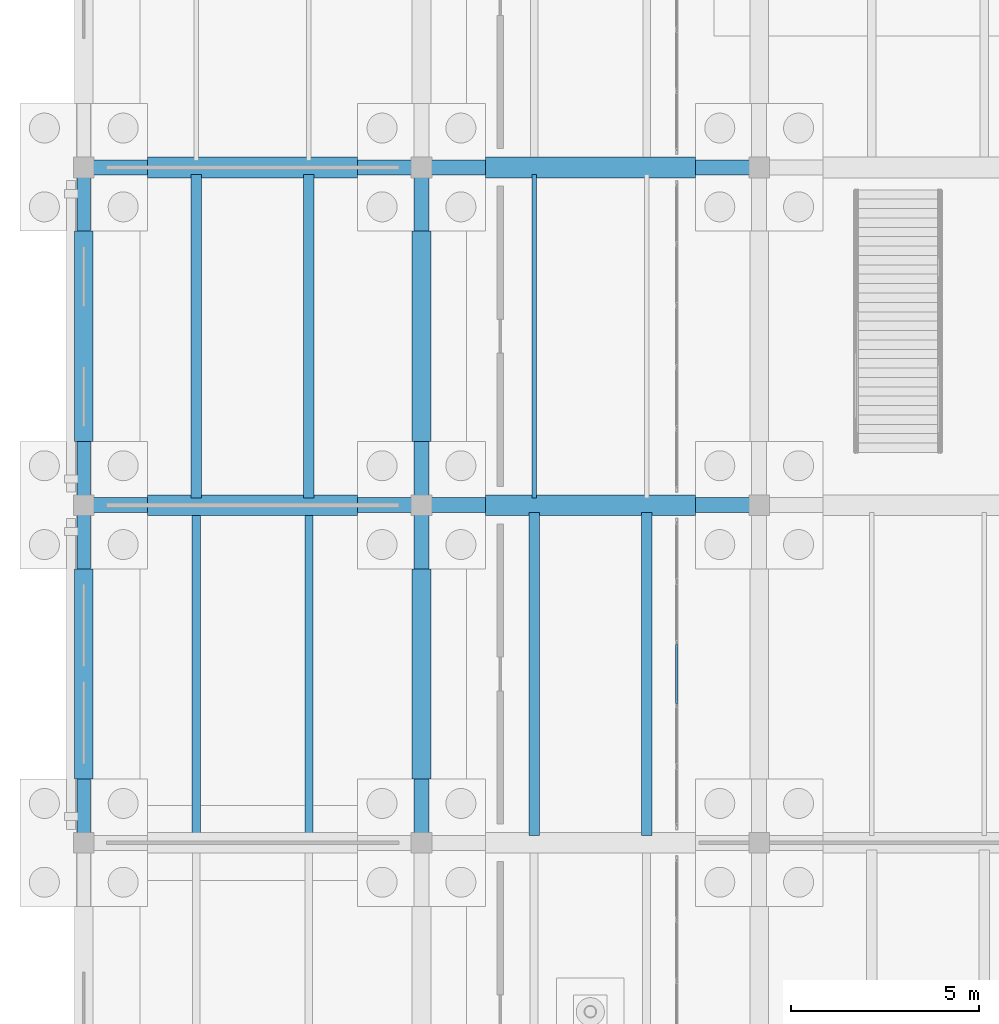
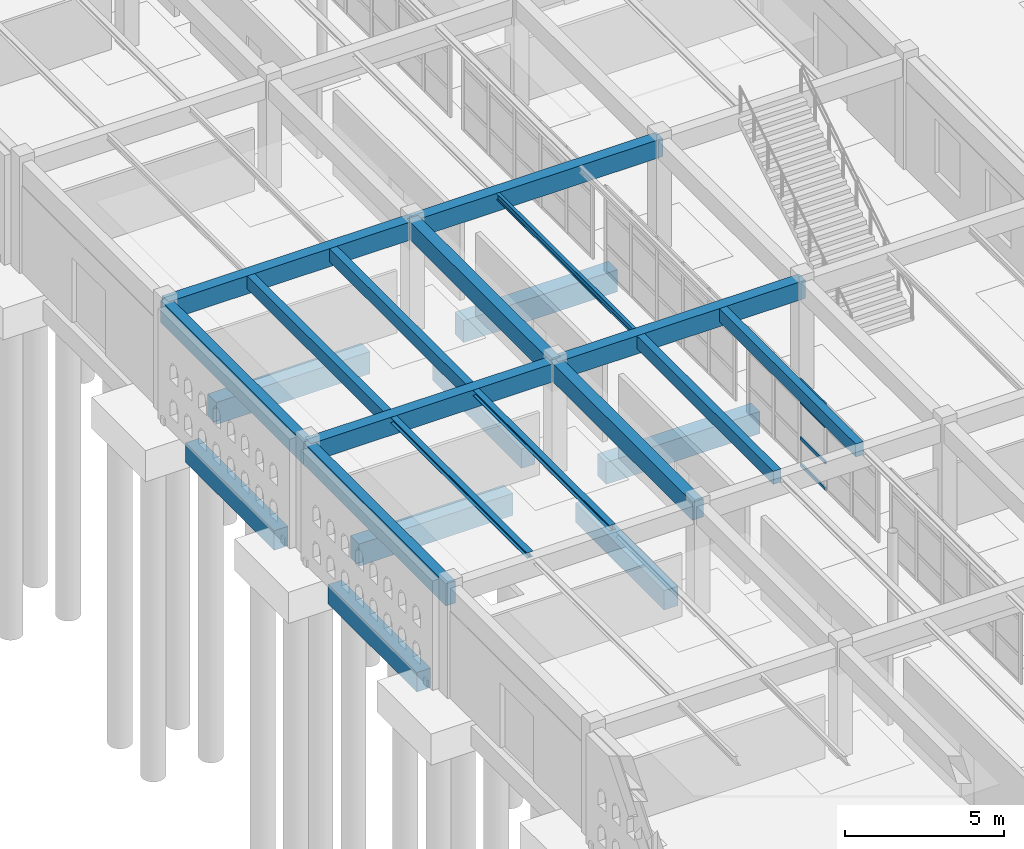
# One storey, part 40 of 186: 23 beams, 4 members, 1 element without a shape of its own.
"""IFC4 building model written with IfcOpenShell, lengths in metres."""

from ifc_helpers import new_model, si_unit, direction, frame, origin, origin_2d, place, context, subcontext, project, spatial, rectangle, hollow_rectangle, i_section, extrude, material, layer, layer_set, material_profile, profile_set, type_object, element, aggregate, save


model = new_model("IFC4")

# Units and contexts
model_context = context("Model", 3, precision=1e-05, world=origin(), true_north=direction((0.0, 1.0)))
body_context = subcontext(model_context, "Body", "Model", "MODEL_VIEW")
ifc_project = project(units=[si_unit("LENGTHUNIT", "METRE"), si_unit("AREAUNIT", "SQUARE_METRE"), si_unit("VOLUMEUNIT", "CUBIC_METRE"), si_unit("PLANEANGLEUNIT", "RADIAN"), si_unit("MASSUNIT", "GRAM", prefix="KILO")], contexts=[model_context])

# Site, building, storey
site_placement = place(None, origin())
site = spatial("IfcSite", under=ifc_project, at=site_placement, CompositionType="ELEMENT")
building_placement = place(site_placement, origin())
building = spatial("IfcBuilding", under=site, at=building_placement, Name="Ornek Quay Market", CompositionType="ELEMENT")
storey_placement = place(building_placement, origin())
storey = spatial("IfcBuildingStorey", under=building, at=storey_placement, Name="L00", CompositionType="ELEMENT", Elevation=0.0)

# Beams
ifc_material_1 = material(Name="Concrete C35/45", Category="concrete")
ifc_material_profile_1 = material_profile(ifc_material_1, rectangle(XDim=0.5, YDim=0.75, at=origin_2d()), Name="RC 500x750", Category="concrete")
ifc_profile_set_1 = profile_set([ifc_material_profile_1], Name="Concrete C35/45")
beam_type_1 = type_object("IfcBeamType", Name="BM-GB-500x750", PredefinedType="BEAM", material=ifc_profile_set_1)
for number, where, z_axis, x_axis, name in (
    (1, (0.0, 48.699951171875, -0.574951171875), (0.0, 1.0, 0.0), (-1.0, 0.0, 0.0), "Ground tie beam GB-055"),
    (2, (0.0, 57.699951171875, -0.574951171875), (0.0, 1.0, 0.0), (-1.0, 0.0, 0.0), "Ground tie beam GB-056"),
    (3, (9.0, 48.699951171875, -0.574951171875), (0.0, 1.0, 0.0), (-1.0, 0.0, 0.0), "Ground tie beam GB-061"),
    (4, (9.0, 57.699951171875, -0.574951171875), (0.0, 1.0, 0.0), (-1.0, 0.0, 0.0), "Ground tie beam GB-062"),
):
    element("IfcBeam", number, at=place(storey_placement, frame(where, z_axis=z_axis, x_axis=x_axis)), inside=storey, type_object=beam_type_1, Name=name, PredefinedType="BEAM", context=body_context, shape_type="SweptSolid", body=[
        extrude(rectangle(XDim=0.5, YDim=0.75, at=origin_2d()), origin(), (0.0, 0.0, 1.0), 5.60009765625),
    ])
ifc_material_profile_2 = material_profile(ifc_material_1, rectangle(XDim=0.550048828125, YDim=0.85009765625, at=origin_2d()), Name="RC 550x850", Category="concrete")
ifc_profile_set_2 = profile_set([ifc_material_profile_2], Name="Concrete C35/45")
beam_type_2 = type_object("IfcBeamType", Name="BM-GB-550x850", PredefinedType="BEAM", material=ifc_profile_set_2)
for number, where, z_axis, x_axis, name in (
    (5, (1.699951171875, 56.0, -0.625), (1.0, 0.0, 0.0), (0.0, 1.0, 0.0), "Ground tie beam GB-018"),
    (6, (10.699951171875, 56.0, -0.625), (1.0, 0.0, 0.0), (0.0, 1.0, 0.0), "Ground tie beam GB-019"),
    (7, (1.699951171875, 65.0, -0.625), (1.0, 0.0, 0.0), (0.0, 1.0, 0.0), "Ground tie beam GB-022"),
    (8, (10.699951171875, 65.0, -0.625), (1.0, 0.0, 0.0), (0.0, 1.0, 0.0), "Ground tie beam GB-023"),
):
    element("IfcBeam", number, at=place(storey_placement, frame(where, z_axis=z_axis, x_axis=x_axis)), inside=storey, type_object=beam_type_2, Name=name, PredefinedType="BEAM", context=body_context, shape_type="SweptSolid", body=[
        extrude(rectangle(XDim=0.550048828125, YDim=0.85009765625, at=origin_2d()), origin(), (0.0, 0.0, 1.0), 5.60009765625),
    ])
ifc_material_profile_3 = material_profile(ifc_material_1, rectangle(XDim=0.280029296875, YDim=0.5, at=origin_2d()), Name="RC 280x500", Category="concrete")
ifc_profile_set_3 = profile_set([ifc_material_profile_3], Name="Concrete C35/45")
beam_type_3 = type_object("IfcBeamType", Name="BM-SEC-280x500", PredefinedType="JOIST", material=ifc_profile_set_3)
for number, where, z_axis, x_axis, name in (
    (9, (3.0, 56.19189453125, 3.969970703125), (0.0, 1.0, 0.0), (-1.0, 0.0, 0.0), "Secondary joist B-SC2-021"),
    (10, (6.0, 56.19189453125, 3.969970703125), (0.0, 1.0, 0.0), (-1.0, 0.0, 0.0), "Secondary joist B-SC2-022"),
    (11, (12.0, 47.19189453125, 3.969970703125), (0.0, 1.0, 0.0), (-1.0, 0.0, 0.0), "Secondary joist B-SC2-023"),
    (12, (15.0, 47.19189453125, 3.969970703125), (0.0, 1.0, 0.0), (-1.0, 0.0, 0.0), "Secondary joist B-SC2-024"),
):
    element("IfcBeam", number, at=place(storey_placement, frame(where, z_axis=z_axis, x_axis=x_axis)), inside=storey, type_object=beam_type_3, Name=name, PredefinedType="JOIST", context=body_context, shape_type="SweptSolid", body=[
        extrude(rectangle(XDim=0.280029296875, YDim=0.5, at=origin_2d()), origin(), (0.0, 0.0, 1.0), 8.6162109375),
    ])
ifc_material_2 = material(Name="Concrete C40/50", Category="concrete")
ifc_material_profile_4 = material_profile(ifc_material_2, rectangle(XDim=0.35009765625, YDim=0.85009765625, at=origin_2d()), Name="RC 350x850", Category="concrete")
ifc_profile_set_4 = profile_set([ifc_material_profile_4], Name="Concrete C40/50")
beam_type_4 = type_object("IfcBeamType", Name="BM-SPN-350x850", PredefinedType="SPANDREL", material=ifc_profile_set_4)
for number, where, z_axis, x_axis, name in (
    (13, (0.0, 47.0, 3.794921875), (0.0, 1.0, 0.0), (-1.0, 0.0, 0.0), "Primary beam B-SP1-053"),
    (14, (0.0, 56.0, 3.794921875), (0.0, 1.0, 0.0), (-1.0, 0.0, 0.0), "Primary beam B-SP1-054"),
):
    element("IfcBeam", number, at=place(storey_placement, frame(where, z_axis=z_axis, x_axis=x_axis)), inside=storey, type_object=beam_type_4, Name=name, PredefinedType="SPANDREL", context=body_context, shape_type="SweptSolid", body=[
        extrude(rectangle(XDim=0.35009765625, YDim=0.85009765625, at=origin_2d()), origin(), (0.0, 0.0, 1.0), 9.0),
    ])
ifc_material_3 = material(Name="Steel S355", Category="steel")
ifc_material_profile_5 = material_profile(ifc_material_3, i_section(OverallWidth=0.219970703125, OverallDepth=0.2099609375, WebThickness=0.007080078125, FlangeThickness=0.010986328125, FilletRadius=0.01806640625, at=origin_2d()), Name="HEA 220", Category="steel")
ifc_profile_set_5 = profile_set([ifc_material_profile_5], Name="Steel S355")
beam_type_5 = type_object("IfcBeamType", Name="BM-STL-HEA220", PredefinedType="BEAM", material=ifc_profile_set_5)
for number, where, z_axis, x_axis, name in (
    (15, (3.0, 47.19189453125, 4.114990234375), (0.0, 1.0, 0.0), (-1.0, 0.0, 0.0), "Secondary joist SB-13-001"),
    (16, (6.0, 47.19189453125, 4.114990234375), (0.0, 1.0, 0.0), (-1.0, 0.0, 0.0), "Secondary joist SB-13-002"),
):
    element("IfcBeam", number, at=place(storey_placement, frame(where, z_axis=z_axis, x_axis=x_axis)), inside=storey, type_object=beam_type_5, Name=name, PredefinedType="BEAM", context=body_context, shape_type="SweptSolid", body=[
        extrude(i_section(OverallWidth=0.219970703125, OverallDepth=0.2099609375, WebThickness=0.007080078125, FlangeThickness=0.010986328125, FilletRadius=0.01806640625, at=origin_2d()), origin(), (0.0, 0.0, 1.0), 8.6162109375),
    ])
ifc_material_profile_6 = material_profile(ifc_material_3, i_section(OverallWidth=0.1201171875, OverallDepth=0.239990234375, WebThickness=0.006103515625, FlangeThickness=0.009765625, FilletRadius=0.014892578125, at=origin_2d()), Name="IPE 240", Category="steel")
ifc_profile_set_6 = profile_set([ifc_material_profile_6], Name="Steel S355")
beam_type_6 = type_object("IfcBeamType", Name="BM-STL-IPE240", PredefinedType="JOIST", material=ifc_profile_set_6)
beam_placement = place(storey_placement, frame((12.0, 56.19189453125, 4.10009765625), z_axis=(0.0, 1.0, 0.0), x_axis=(-1.0, 0.0, 0.0)))
element("IfcBeam", 17, at=beam_placement, inside=storey, type_object=beam_type_6, Name="Secondary joist SB-04-009", PredefinedType="JOIST", context=body_context, shape_type="SweptSolid", body=[
    extrude(i_section(OverallWidth=0.1201171875, OverallDepth=0.239990234375, WebThickness=0.006103515625, FlangeThickness=0.009765625, FilletRadius=0.014892578125, at=origin_2d()), origin(), (0.0, 0.0, 1.0), 8.6162109375),
])
ifc_material_profile_7 = material_profile(ifc_material_1, rectangle(XDim=0.39990234375, YDim=0.699951171875, at=origin_2d()), Name="RC 400x700", Category="concrete")
ifc_profile_set_7 = profile_set([ifc_material_profile_7], Name="Concrete C35/45")
beam_type_7 = type_object("IfcBeamType", Name="BM-WW-400x700", PredefinedType="BEAM", material=ifc_profile_set_7)
for number, where, z_axis, x_axis, name in (
    (18, (0.0, 56.0, 3.8701171875), (1.0, 0.0, 0.0), (0.0, 1.0, 0.0), "Primary beam B-WW1-010"),
    (19, (9.0, 56.0, 3.8701171875), (1.0, 0.0, 0.0), (0.0, 1.0, 0.0), "Primary beam B-WW1-011"),
    (20, (0.0, 65.0, 3.8701171875), (1.0, 0.0, 0.0), (0.0, 1.0, 0.0), "Primary beam B-WW1-013"),
    (21, (9.0, 65.0, 3.8701171875), (1.0, 0.0, 0.0), (0.0, 1.0, 0.0), "Primary beam B-WW1-014"),
    (22, (9.0, 47.0, 3.8701171875), (0.0, 1.0, 0.0), (-1.0, 0.0, 0.0), "Primary beam B-WW1-031"),
    (23, (9.0, 56.0, 3.8701171875), (0.0, 1.0, 0.0), (-1.0, 0.0, 0.0), "Primary beam B-WW1-032"),
):
    element("IfcBeam", number, at=place(storey_placement, frame(where, z_axis=z_axis, x_axis=x_axis)), inside=storey, type_object=beam_type_7, Name=name, PredefinedType="BEAM", context=body_context, shape_type="SweptSolid", body=[
        extrude(rectangle(XDim=0.39990234375, YDim=0.699951171875, at=origin_2d()), origin(), (0.0, 0.0, 1.0), 9.0),
    ])

# Curtain wall, members
ifc_material_4 = material(Name="Anodised bronze aluminium and triple low-e glass", Category="aluminium")
ifc_layer = layer(ifc_material_4, 0.179931640625, Name="Anodised bronze aluminium and triple low-e glass", Category="aluminium")
ifc_layer_set = layer_set([ifc_layer], Name="Anodised bronze aluminium and triple low-e glass")
curtain_wall_type = type_object("IfcCurtainWallType", Name="CW-CONC-MOD1500", PredefinedType="USERDEFINED", material=ifc_layer_set)
curtain_wall_placement = place(storey_placement, origin())
curtain_wall = element("IfcCurtainWall", 24, at=curtain_wall_placement, inside=storey, type_object=curtain_wall_type, Name="Curtain wall CW-138", ObjectType="CURTAIN WALL", PredefinedType="USERDEFINED")
ifc_material_5 = material(Name="Anodised aluminium 6063-T6", Category="aluminium")
ifc_material_profile_8 = material_profile(ifc_material_5, hollow_rectangle(XDim=0.06005859375, YDim=0.1201171875, WallThickness=0.00390625, at=origin_2d()), Name="CW-TRN-60x120", Category="aluminium")
ifc_profile_set_8 = profile_set([ifc_material_profile_8], Name="Anodised aluminium 6063-T6")
member_type = type_object("IfcMemberType", Name="CW-TRN-60x120", PredefinedType="USERDEFINED", material=ifc_profile_set_8)
member_1_placement = place(storey_placement, frame((15.800048828125, 50.7099609375, 0.030029296875), z_axis=(0.0, 1.0, 0.0), x_axis=(-1.0, 0.0, 0.0)))
member_1 = element("IfcMember", 25, at=member_1_placement, type_object=member_type, Name="CW-138 transom 3.1", ObjectType="TRANSOM", PredefinedType="USERDEFINED", context=body_context, shape_type="SweptSolid", body=[
    extrude(hollow_rectangle(XDim=0.06005859375, YDim=0.1201171875, WallThickness=0.00390625, at=origin_2d()), origin(), (0.0, 0.0, 1.0), 1.580078125),
])
member_2_placement = place(storey_placement, frame((15.800048828125, 50.7099609375, 1.050048828125), z_axis=(0.0, 1.0, 0.0), x_axis=(-1.0, 0.0, 0.0)))
member_2 = element("IfcMember", 26, at=member_2_placement, type_object=member_type, Name="CW-138 transom 3.2", ObjectType="TRANSOM", PredefinedType="USERDEFINED", context=body_context, shape_type="SweptSolid", body=[
    extrude(hollow_rectangle(XDim=0.06005859375, YDim=0.1201171875, WallThickness=0.00390625, at=origin_2d()), origin(), (0.0, 0.0, 1.0), 1.580078125),
])
member_3_placement = place(storey_placement, frame((15.800048828125, 50.7099609375, 2.449951171875), z_axis=(0.0, 1.0, 0.0), x_axis=(-1.0, 0.0, 0.0)))
member_3 = element("IfcMember", 27, at=member_3_placement, type_object=member_type, Name="CW-138 transom 3.3", ObjectType="TRANSOM", PredefinedType="USERDEFINED", context=body_context, shape_type="SweptSolid", body=[
    extrude(hollow_rectangle(XDim=0.06005859375, YDim=0.1201171875, WallThickness=0.00390625, at=origin_2d()), origin(), (0.0, 0.0, 1.0), 1.580078125),
])
member_4_placement = place(storey_placement, frame((15.800048828125, 50.7099609375, 3.27001953125), z_axis=(0.0, 1.0, 0.0), x_axis=(-1.0, 0.0, 0.0)))
member_4 = element("IfcMember", 28, at=member_4_placement, type_object=member_type, Name="CW-138 transom 3.4", ObjectType="TRANSOM", PredefinedType="USERDEFINED", context=body_context, shape_type="SweptSolid", body=[
    extrude(hollow_rectangle(XDim=0.06005859375, YDim=0.1201171875, WallThickness=0.00390625, at=origin_2d()), origin(), (0.0, 0.0, 1.0), 1.580078125),
])
aggregate(curtain_wall, [member_1, member_2, member_3, member_4])

save(model, "model.ifc")
